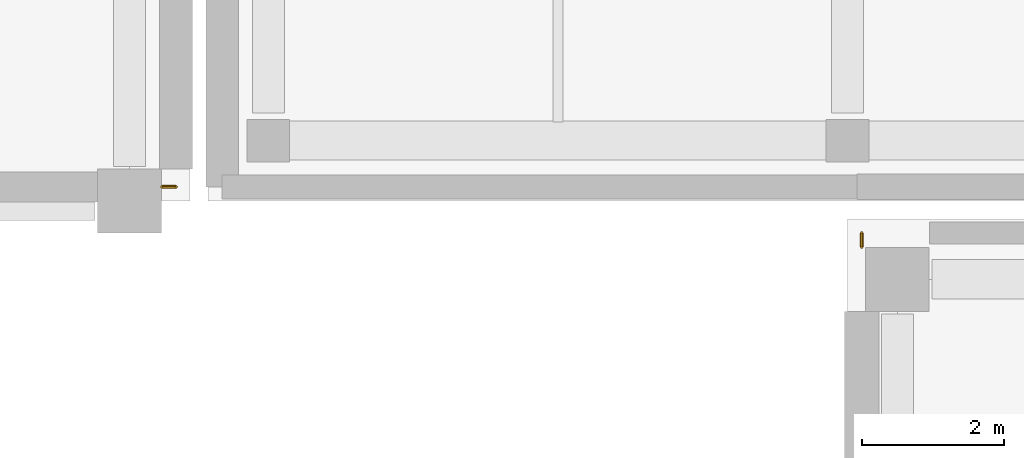
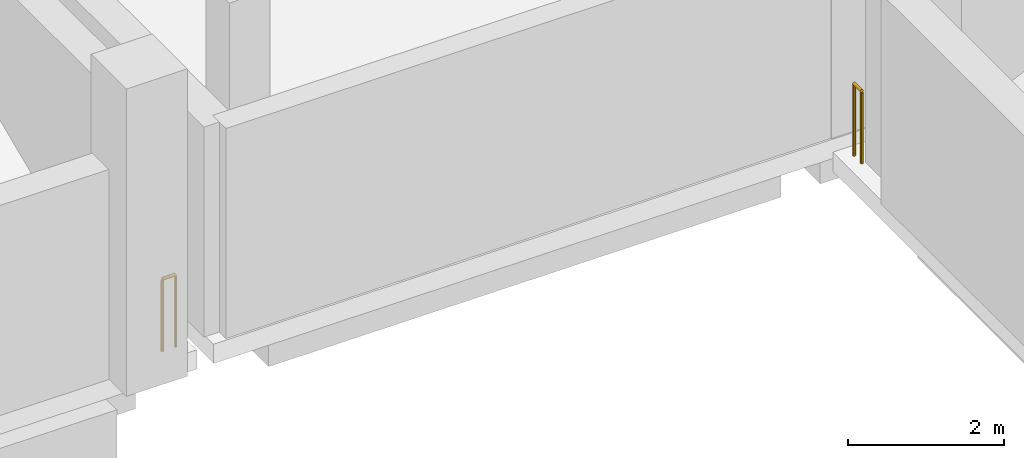
# One storey, part 93 of 100: 2 railings.
"""IFC4 building model written with IfcOpenShell, lengths in metres."""

import ifcopenshell
import ifcopenshell.guid

model = None  # the IFC model being written
_history = None  # IfcOwnerHistory: only IFC2X3 demands one
_inside = {}  # id of a spatial element -> (the spatial element, [elements in it])
_under = {}  # id of a project, library or spatial element -> (it, [spatial elements below it])
_declared = {}  # id of a project -> (the project, [libraries it declares])
_typed = {}  # id of a type object -> (the type object, [elements of that type])
_made_of = {}  # id of a material, layer set ... -> (it, [elements and type objects made of it])


def new_model(schema):
    """Start an empty IFC model of exactly this schema.

    Asked for "IFC4X3", IfcOpenShell would pick the latest addendum, in which some entities
    have other attributes; the version numbers below select the first issue.
    IFC2X3 requires an IfcOwnerHistory on every rooted entity: one is made here for all.
    """
    global model, _history
    if schema == "IFC4X3":
        model = ifcopenshell.file(schema_version=(4, 3, 0, 0))
    else:
        model = ifcopenshell.file(schema=schema)
    _inside.clear()
    _under.clear()
    _declared.clear()
    _typed.clear()
    _made_of.clear()
    _history = None
    if model.schema == "IFC2X3":
        org = make("IfcOrganization", Name="unknown")
        user = make(
            "IfcPersonAndOrganization",
            ThePerson=make("IfcPerson", FamilyName="unknown"),
            TheOrganization=org,
        )
        app = make(
            "IfcApplication",
            ApplicationDeveloper=org,
            Version="unknown",
            ApplicationFullName="unknown",
            ApplicationIdentifier="unknown",
        )
        _history = make(
            "IfcOwnerHistory",
            OwningUser=user,
            OwningApplication=app,
            ChangeAction="ADDED",
            CreationDate=0,
        )
    return model


def make(cls, **values):
    """One entity of the class cls with the attributes given. An attribute that is None is left unset."""
    return model.create_entity(
        cls, **{name: value for name, value in values.items() if value is not None}
    )


def rooted(cls, **values):
    """An entity with a GlobalId (a new one), such as an element, a storey or a relation."""
    return make(cls, GlobalId=ifcopenshell.guid.new(), OwnerHistory=_history, **values)


def si_unit(unit_type, name, prefix=None):
    """IfcSIUnit, for example si_unit("LENGTHUNIT", "METRE", prefix="MILLI")."""
    return make("IfcSIUnit", UnitType=unit_type, Prefix=prefix, Name=name)


def assignment(units):
    """IfcUnitAssignment: the units of a project."""
    return None if units is None else make("IfcUnitAssignment", Units=units)


def point(xyz):
    """IfcCartesianPoint."""
    return None if xyz is None else make("IfcCartesianPoint", Coordinates=xyz)


def direction(xyz):
    """IfcDirection."""
    return None if xyz is None else make("IfcDirection", DirectionRatios=xyz)


def frame(location, z_axis=None, x_axis=None):
    """IfcAxis2Placement3D, a coordinate frame: its origin and axes. An axis left out is left unset."""
    return make(
        "IfcAxis2Placement3D",
        Location=point(location),
        Axis=direction(z_axis),
        RefDirection=direction(x_axis),
    )


def frame_2d(location, x_axis=None):
    """IfcAxis2Placement2D, a coordinate frame in the plane: its origin and x axis."""
    return make(
        "IfcAxis2Placement2D", Location=point(location), RefDirection=direction(x_axis)
    )


def origin():
    """The frame at (0, 0, 0) with its axes left unset."""
    return frame((0.0, 0.0, 0.0))


def origin_2d():
    """The frame at (0, 0) in the plane with its x axis left unset."""
    return frame_2d((0.0, 0.0))


def place(relative_to, where):
    """IfcLocalPlacement: puts the frame where relative to a parent placement (None: the world)."""
    return make(
        "IfcLocalPlacement", PlacementRelTo=relative_to, RelativePlacement=where
    )


def context(
    kind, dimensions, precision=None, world=None, true_north=None, identifier=None
):
    """IfcGeometricRepresentationContext, for example the 3D "Model" context."""
    return make(
        "IfcGeometricRepresentationContext",
        ContextIdentifier=identifier,
        ContextType=kind,
        CoordinateSpaceDimension=dimensions,
        Precision=precision,
        WorldCoordinateSystem=world,
        TrueNorth=true_north,
    )


def subcontext(parent, identifier, kind, view, scale=None):
    """IfcGeometricRepresentationSubContext, for example "Body" below "Model"."""
    return make(
        "IfcGeometricRepresentationSubContext",
        ContextIdentifier=identifier,
        ContextType=kind,
        ParentContext=parent,
        TargetScale=scale,
        TargetView=view,
    )


def project(units=None, contexts=None):
    """IfcProject with its units and contexts."""
    return rooted(
        "IfcProject",
        Name="project",
        RepresentationContexts=contexts,
        UnitsInContext=assignment(units),
    )


def spatial(cls, under=None, at=None, **own):
    """A site, building, storey or space (cls), placed at a placement, below another one or the project."""
    s = rooted(cls, ObjectPlacement=at, **own)
    if under is not None:
        _under.setdefault(under.id(), (under, []))[1].append(s)
    return s


def profile(cls, at=None, kind="AREA", **sizes):
    """A parametric profile (cls). Its sizes go by their IFC names, for example OverallWidth=200.0."""
    return make(cls, ProfileType=kind, Position=at, **sizes)


def circle(**sizes):
    """IfcCircleProfileDef."""
    return profile("IfcCircleProfileDef", **sizes)


def extrude(swept, where, along, depth):
    """IfcExtrudedAreaSolid: the profile swept, set in the frame where, extruded along a direction by depth."""
    return make(
        "IfcExtrudedAreaSolid",
        SweptArea=swept,
        Position=where,
        ExtrudedDirection=direction(along),
        Depth=depth,
    )


def shape(context_of_items, identifier, shape_type, items):
    """IfcShapeRepresentation: the items that make up one representation, for example the "Body"."""
    return make(
        "IfcShapeRepresentation",
        ContextOfItems=context_of_items,
        RepresentationIdentifier=identifier,
        RepresentationType=shape_type,
        Items=items,
    )


def material(Name=None, Category=None):
    """IfcMaterial."""
    return make("IfcMaterial", Name=Name, Category=Category)


def made_of(thing, what):
    """Note that an element or type object is made of a material, layer set ...; save() writes the relation."""
    if what is not None:
        _made_of.setdefault(what.id(), (what, []))[1].append(thing)
    return thing


def type_object(cls, material=None, **own):
    """A type object (cls), such as IfcWallType, which elements share."""
    return made_of(rooted(cls, **own), material)


def element(
    cls,
    number,
    at=None,
    inside=None,
    cuts=None,
    type_object=None,
    material=None,
    context=None,
    identifier="Body",
    shape_type=None,
    held_by="IfcProductDefinitionShape",
    body=None,
    shapes=None,
    **own,
):
    """One element of the class cls, such as IfcWall. Its Tag is "e" and its number.

    at: its placement. inside: the storey or other place that contains it. cuts: it is an
    opening in that element (IfcRelVoidsElement). A single representation is given by context,
    identifier, shape_type and body (its items); several are given by shapes. held_by: the class
    of the entity that holds the representations. save() writes the other relations.
    """
    e = rooted(cls, Tag="e%d" % number, ObjectPlacement=at, **own)
    if body is not None:
        shapes = [shape(context, identifier, shape_type, body)]
    if shapes is not None:
        e.Representation = make(held_by, Representations=shapes)
    if inside is not None:
        _inside.setdefault(inside.id(), (inside, []))[1].append(e)
    if cuts is not None:
        rooted(
            "IfcRelVoidsElement", RelatingBuildingElement=cuts, RelatedOpeningElement=e
        )
    if type_object is not None:
        _typed.setdefault(type_object.id(), (type_object, []))[1].append(e)
    return made_of(e, material)


def aggregate(whole, parts):
    """IfcRelAggregates: a whole, such as a stair, and the parts it consists of."""
    return rooted("IfcRelAggregates", RelatingObject=whole, RelatedObjects=parts)


def save(model, path):
    """Write the relations noted so far, then the file.

    IfcRelAggregates (storeys below a building ...), IfcRelContainedInSpatialStructure (elements
    in a storey), IfcRelDefinesByType, IfcRelAssociatesMaterial and IfcRelDeclares: one each for
    every whole, place, type object, material and project.
    """
    for whole, parts in _under.values():
        aggregate(whole, parts)
    for where, things in _inside.values():
        rooted(
            "IfcRelContainedInSpatialStructure",
            RelatedElements=things,
            RelatingStructure=where,
        )
    for kind, things in _typed.values():
        rooted("IfcRelDefinesByType", RelatedObjects=things, RelatingType=kind)
    for what, things in _made_of.values():
        rooted("IfcRelAssociatesMaterial", RelatedObjects=things, RelatingMaterial=what)
    for by, libraries in _declared.values():
        rooted("IfcRelDeclares", RelatingContext=by, RelatedDefinitions=libraries)
    model.write(path)


model = new_model("IFC4")

# Units and contexts
model_context = context("Model", 3, precision=1e-05, world=origin(), true_north=direction((0.0, 1.0)))
body_context = subcontext(model_context, "Body", "Model", "MODEL_VIEW")
ifc_project = project(units=[si_unit("LENGTHUNIT", "METRE"), si_unit("AREAUNIT", "SQUARE_METRE"), si_unit("VOLUMEUNIT", "CUBIC_METRE"), si_unit("PLANEANGLEUNIT", "RADIAN"), si_unit("MASSUNIT", "GRAM", prefix="KILO"), si_unit("THERMODYNAMICTEMPERATUREUNIT", "KELVIN"), si_unit("POWERUNIT", "WATT")], contexts=[model_context])

# Site, building, storey
site_placement = place(None, origin())
site = spatial("IfcSite", under=ifc_project, at=site_placement, CompositionType="ELEMENT")
building_placement = place(site_placement, origin())
building = spatial("IfcBuilding", under=site, at=building_placement, Name="Sindhuravela Promenade Stadium", CompositionType="ELEMENT")
storey_placement = place(building_placement, frame((0.0, 0.0, 4.800048828125)))
storey = spatial("IfcBuildingStorey", under=building, at=storey_placement, Name="L01", CompositionType="ELEMENT", Elevation=4.800048828125)

# Railings
ifc_material = material(Name="Architectural wrought steel E350", Category="steel")
railing_type = type_object("IfcRailingType", Name="RL-GRD-1150", PredefinedType="GUARDRAIL", material=ifc_material)
railing_1_placement = place(storey_placement, frame((171.199951171875, 125.35498046875, 0.0)))
element("IfcRailing", 1, at=railing_1_placement, inside=storey, type_object=railing_type, Name="Perimeter edge return guard EAST L01", PredefinedType="GUARDRAIL", context=body_context, shape_type="SweptSolid", body=[
    extrude(circle(Radius=0.02392578125, at=origin_2d()), frame((0.0, 0.0, 1.1259765625), z_axis=(0.0, 1.0, 0.0), x_axis=(-1.0, 0.0, 0.0)), (0.0, 0.0, 1.0), 0.195068359375),
    extrude(circle(Radius=0.02099609375, at=origin_2d()), origin(), (0.0, 0.0, 1.0), 1.101806640625),
    extrude(circle(Radius=0.02099609375, at=origin_2d()), frame((0.0, 0.195068359375, 0.0)), (0.0, 0.0, 1.0), 1.101806640625),
])
railing_2_placement = place(storey_placement, frame((161.550048828125, 126.199951171875, 0.0)))
element("IfcRailing", 2, at=railing_2_placement, inside=storey, type_object=railing_type, Name="Perimeter edge return guard NORTH L01", PredefinedType="GUARDRAIL", context=body_context, shape_type="SweptSolid", body=[
    extrude(circle(Radius=0.02392578125, at=origin_2d()), frame((0.0, 0.0, 1.1259765625), z_axis=(-1.0, 0.0, 0.0), x_axis=(0.0, -1.0, 0.0)), (0.0, 0.0, 1.0), 0.195068359375),
    extrude(circle(Radius=0.02099609375, at=origin_2d()), origin(), (0.0, 0.0, 1.0), 1.101806640625),
    extrude(circle(Radius=0.02099609375, at=origin_2d()), frame((-0.195068359375, 0.0, 0.0)), (0.0, 0.0, 1.0), 1.101806640625),
])

save(model, "model.ifc")
